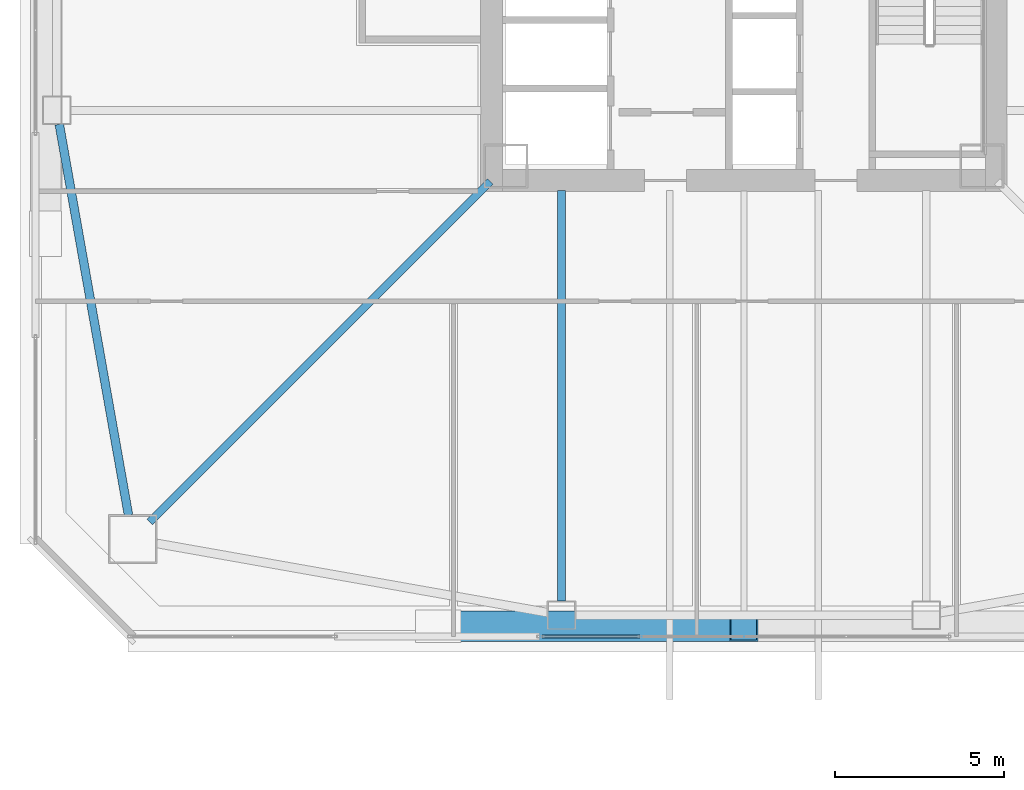
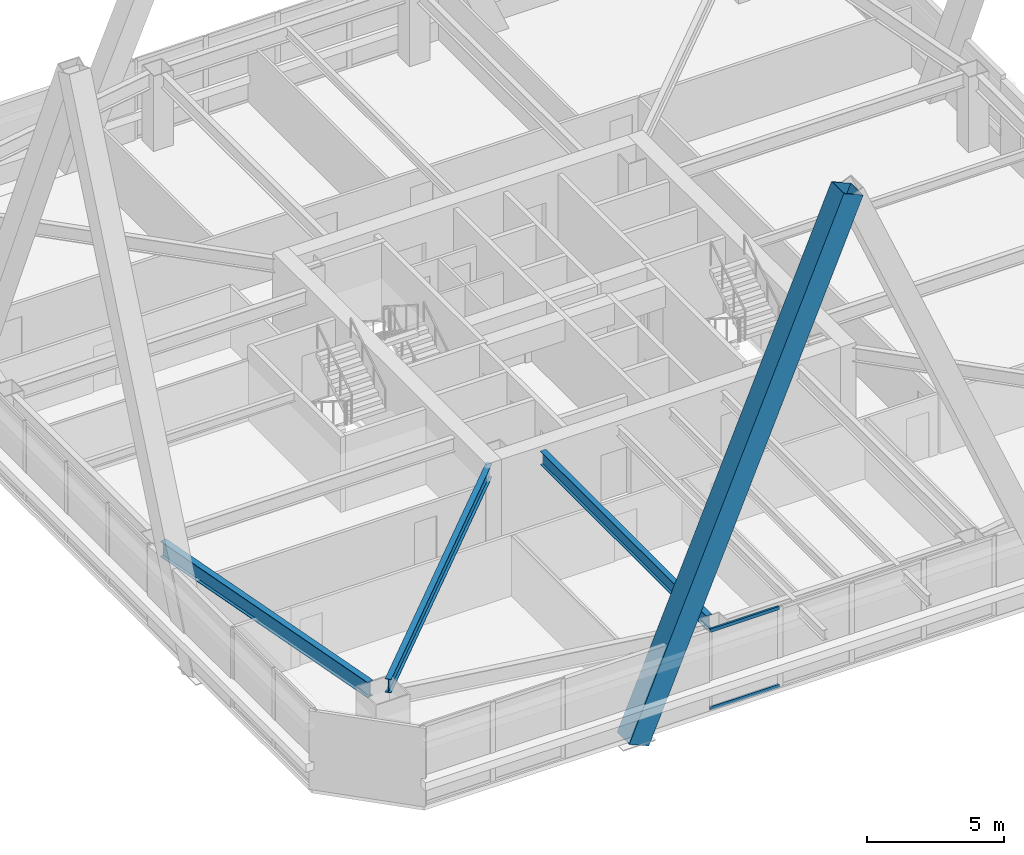
# One storey, part 4 of 54: 3 beams, 3 members, 1 element without a shape of its own.
"""IFC4 building model written with IfcOpenShell, lengths in metres."""

from ifc_helpers import new_model, si_unit, direction, frame, origin, origin_2d, place, context, subcontext, project, spatial, hollow_rectangle, i_section, extrude, material, material_profile, profile_set, type_object, element, aggregate, save


model = new_model("IFC4")

# Units and contexts
model_context = context("Model", 3, precision=1e-05, world=origin(), true_north=direction((0.0, 1.0)))
body_context = subcontext(model_context, "Body", "Model", "MODEL_VIEW")
ifc_project = project(units=[si_unit("LENGTHUNIT", "METRE"), si_unit("AREAUNIT", "SQUARE_METRE"), si_unit("VOLUMEUNIT", "CUBIC_METRE"), si_unit("PLANEANGLEUNIT", "RADIAN"), si_unit("MASSUNIT", "GRAM", prefix="KILO")], contexts=[model_context])

# Site, building, storey
site_placement = place(None, origin())
site = spatial("IfcSite", under=ifc_project, at=site_placement, CompositionType="ELEMENT")
building_placement = place(site_placement, origin())
building = spatial("IfcBuilding", under=site, at=building_placement, Name="Tashvorn Skyway Center", CompositionType="ELEMENT")
storey_placement = place(building_placement, frame((0.0, 0.0, 88.5)))
storey = spatial("IfcBuildingStorey", under=building, at=storey_placement, Name="L23", CompositionType="ELEMENT", Elevation=88.5)

# Beams
ifc_material_1 = material(Name="Steel ASTM A992 Grade 50", Category="steel")
ifc_material_profile_1 = material_profile(ifc_material_1, i_section(OverallWidth=0.22998046875, OverallDepth=0.616943359375, WebThickness=0.01318359375, FlangeThickness=0.022216796875, at=origin_2d()), Name="W24X94")
ifc_profile_set_1 = profile_set([ifc_material_profile_1], Name="Steel ASTM A992 Grade 50")
beam_type_1 = type_object("IfcBeamType", Name="BM-BEAM-W24X94", PredefinedType="BEAM", material=ifc_profile_set_1)
beam_1_placement = place(storey_placement, frame((24.4091796875, 14.4091796875, 3.04150390625), z_axis=(0.707106781187, 0.707106781187, 0.0), x_axis=(-0.707106781187, 0.707106781187, 0.0)))
element("IfcBeam", 1, at=beam_1_placement, inside=storey, type_object=beam_type_1, Name="Tower 1 L23 Primary Floor Girder MC-SW", PredefinedType="BEAM", context=body_context, shape_type="SweptSolid", body=[
    extrude(i_section(OverallWidth=0.22998046875, OverallDepth=0.616943359375, WebThickness=0.01318359375, FlangeThickness=0.022216796875, at=origin_2d()), origin(), (0.0, 0.0, 1.0), 14.261962890625),
])
beam_2_placement = place(storey_placement, frame((36.60009765625, 12.070068359375, 3.04150390625), z_axis=(0.0, 1.0, 0.0), x_axis=(-1.0, 0.0, 0.0)))
element("IfcBeam", 2, at=beam_2_placement, inside=storey, type_object=beam_type_1, Name="Tower 1 L23 Primary Floor Girder FC-S1", PredefinedType="BEAM", context=body_context, shape_type="SweptSolid", body=[
    extrude(i_section(OverallWidth=0.22998046875, OverallDepth=0.616943359375, WebThickness=0.01318359375, FlangeThickness=0.022216796875, at=origin_2d()), origin(), (0.0, 0.0, 1.0), 12.14990234375),
])
ifc_material_profile_2 = material_profile(ifc_material_1, i_section(OverallWidth=0.256103515625, OverallDepth=0.693115234375, WebThickness=0.014404296875, FlangeThickness=0.023681640625, at=origin_2d()), Name="W27X114")
ifc_profile_set_2 = profile_set([ifc_material_profile_2], Name="Steel ASTM A992 Grade 50")
beam_type_2 = type_object("IfcBeamType", Name="BM-SPANDREL-W27X114", PredefinedType="SPANDREL", material=ifc_profile_set_2)
beam_3_placement = place(storey_placement, frame((21.723388671875, 26.1865234375, 3.00341796875), z_axis=(0.174437966698, -0.98466816531, 0.0), x_axis=(0.98466816531, 0.174437966698, 0.0)))
element("IfcBeam", 3, at=beam_3_placement, inside=storey, type_object=beam_type_2, Name="Tower 1 L23 Spandrel Beam 12", PredefinedType="SPANDREL", context=body_context, shape_type="SweptSolid", body=[
    extrude(i_section(OverallWidth=0.256103515625, OverallDepth=0.693115234375, WebThickness=0.014404296875, FlangeThickness=0.023681640625, at=origin_2d()), origin(), (0.0, 0.0, 1.0), 11.7578125),
])

# Curtain wall, members
ifc_material_2 = material(Name="Thermally broken bronze-anodized aluminium 6063-T6", Category="aluminium")
curtain_wall_type = type_object("IfcCurtainWallType", Name="CW-CW-Z2", PredefinedType="NOTDEFINED", material=ifc_material_2)
curtain_wall_placement = place(storey_placement, origin())
curtain_wall = element("IfcCurtainWall", 4, at=curtain_wall_placement, inside=storey, type_object=curtain_wall_type, Name="Tower 1 L23 South Unitised Curtain Wall Glazing Group 2", PredefinedType="NOTDEFINED")
ifc_material_profile_3 = material_profile(ifc_material_2, hollow_rectangle(XDim=0.080078125, YDim=0.14990234375, WallThickness=0.00439453125, at=origin_2d()), Name="ALU-TRAN-80x150")
ifc_profile_set_3 = profile_set([ifc_material_profile_3], Name="Thermally broken bronze-anodized aluminium 6063-T6")
member_type_1 = type_object("IfcMemberType", Name="CWT-CW-Z2", PredefinedType="USERDEFINED", material=ifc_profile_set_3)
member_1_placement = place(storey_placement, frame((38.929931640625, 11.02001953125, 0.0400390625), z_axis=(-1.0, 0.0, 0.0), x_axis=(0.0, -1.0, 0.0)))
member_1 = element("IfcMember", 5, at=member_1_placement, type_object=member_type_1, Name="CW-Z2 transom 4.1", ObjectType="TRANSOM", PredefinedType="USERDEFINED", context=body_context, shape_type="SweptSolid", body=[
    extrude(hollow_rectangle(XDim=0.080078125, YDim=0.14990234375, WallThickness=0.00439453125, at=origin_2d()), origin(), (0.0, 0.0, 1.0), 2.909912109375),
])
member_2_placement = place(storey_placement, frame((38.929931640625, 11.02001953125, 3.510009765625), z_axis=(-1.0, 0.0, 0.0), x_axis=(0.0, -1.0, 0.0)))
member_2 = element("IfcMember", 6, at=member_2_placement, type_object=member_type_1, Name="CW-Z2 transom 4.2", ObjectType="TRANSOM", PredefinedType="USERDEFINED", context=body_context, shape_type="SweptSolid", body=[
    extrude(hollow_rectangle(XDim=0.080078125, YDim=0.14990234375, WallThickness=0.00439453125, at=origin_2d()), origin(), (0.0, 0.0, 1.0), 2.909912109375),
])
aggregate(curtain_wall, [member_1, member_2])

# Member
ifc_material_3 = material(Name="Steel ASTM A572 Grade 50", Category="steel")
ifc_material_profile_4 = material_profile(ifc_material_3, hollow_rectangle(XDim=0.89990234375, YDim=0.89990234375, WallThickness=0.0400390625, at=origin_2d()), Name="BOX900x900x40")
ifc_profile_set_4 = profile_set([ifc_material_profile_4], Name="Steel ASTM A572 Grade 50")
member_type_2 = type_object("IfcMemberType", Name="MEM-MB-900", PredefinedType="BRACE", material=ifc_profile_set_4)
member_3_placement = place(storey_placement, frame((32.949951171875, 11.320068359375, -0.449951171875), z_axis=(0.389502874724, 0.0, 0.921025249698), x_axis=(0.0, 1.0, 0.0)))
element("IfcMember", 7, at=member_3_placement, inside=storey, type_object=member_type_2, Name="Tower 1 Zone 2 S Chevron Mega-Brace L2", PredefinedType="BRACE", context=body_context, shape_type="SweptSolid", body=[
    extrude(hollow_rectangle(XDim=0.89990234375, YDim=0.89990234375, WallThickness=0.0400390625, at=origin_2d()), origin(), (0.0, 0.0, 1.0), 23.23486328125),
])

save(model, "model.ifc")
